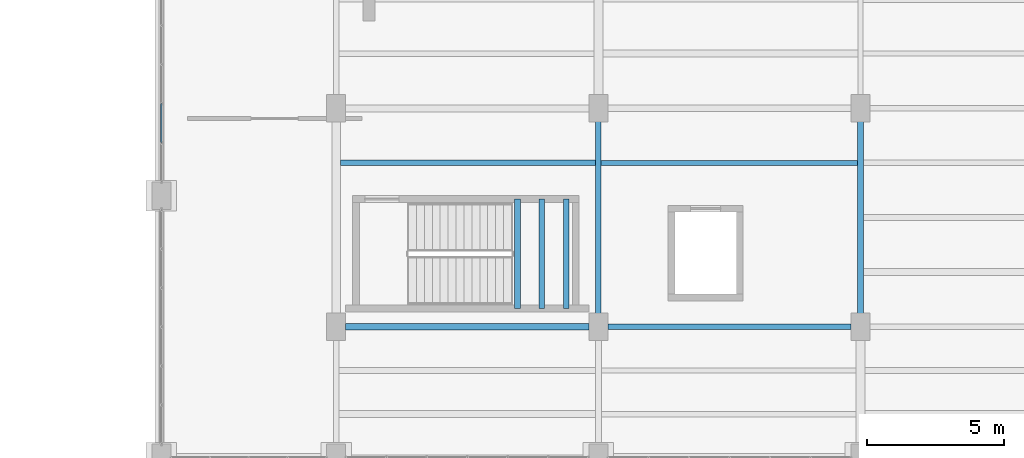
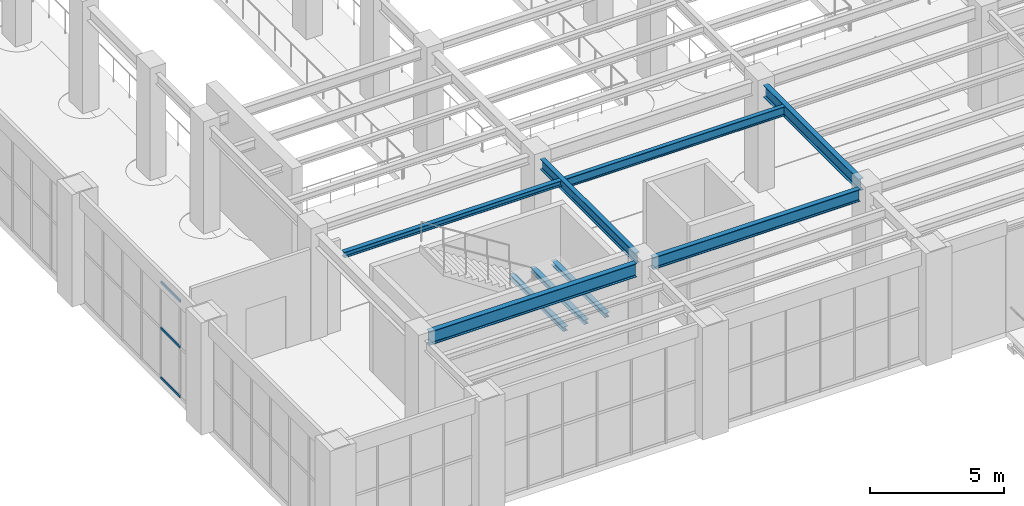
# One storey, part 59 of 174: 9 beams, 3 members, 1 element without a shape of its own.
"""IFC4 building model written with IfcOpenShell, lengths in metres."""

from ifc_helpers import new_model, si_unit, direction, frame, origin, origin_2d, place, context, subcontext, project, spatial, hollow_rectangle, i_section, extrude, material, material_profile, profile_set, type_object, element, aggregate, save


model = new_model("IFC4")

# Units and contexts
model_context = context("Model", 3, precision=1e-05, world=origin(), true_north=direction((0.0, 1.0)))
body_context = subcontext(model_context, "Body", "Model", "MODEL_VIEW")
ifc_project = project(units=[si_unit("LENGTHUNIT", "METRE"), si_unit("AREAUNIT", "SQUARE_METRE"), si_unit("VOLUMEUNIT", "CUBIC_METRE"), si_unit("PLANEANGLEUNIT", "RADIAN"), si_unit("MASSUNIT", "GRAM", prefix="KILO")], contexts=[model_context])

# Site, building, storey
site_placement = place(None, origin())
site = spatial("IfcSite", under=ifc_project, at=site_placement, CompositionType="ELEMENT")
building_placement = place(site_placement, origin())
building = spatial("IfcBuilding", under=site, at=building_placement, Name="Mavantir Sound Aquarium", CompositionType="ELEMENT")
storey_placement = place(building_placement, frame((0.0, 0.0, 5.39990234375)))
storey = spatial("IfcBuildingStorey", under=building, at=storey_placement, Name="L01", CompositionType="ELEMENT", Elevation=5.39990234375)

# Beams
ifc_material_1 = material(Name="Structural Steel ASTM A992 Gr50", Category="steel")
ifc_material_profile_1 = material_profile(ifc_material_1, i_section(OverallWidth=0.202880859375, OverallDepth=0.202880859375, WebThickness=0.007080078125, FlangeThickness=0.010986328125, FilletRadius=0.010009765625, at=origin_2d()), Name="W200X46")
ifc_profile_set_1 = profile_set([ifc_material_profile_1], Name="Structural Steel ASTM A992 Gr50")
beam_type_1 = type_object("IfcBeamType", Name="BM-W200X46-I", PredefinedType="LINTEL", material=ifc_profile_set_1)
for number, where, z_axis, x_axis, name in (
    (1, (114.639892578125, 41.47509765625, 2.24560546875), (0.0, 1.0, 0.0), (-1.0, 0.0, 0.0), "Stair ST4 landing support beam 61"),
    (2, (115.534912109375, 41.47509765625, 2.24560546875), (0.0, 1.0, 0.0), (-1.0, 0.0, 0.0), "Stair ST4 landing support beam 62"),
    (3, (116.429931640625, 41.47509765625, 2.24560546875), (0.0, 1.0, 0.0), (-1.0, 0.0, 0.0), "Stair ST4 landing support beam 63"),
):
    element("IfcBeam", number, at=place(storey_placement, frame(where, z_axis=z_axis, x_axis=x_axis)), inside=storey, type_object=beam_type_1, Name=name, PredefinedType="LINTEL", context=body_context, shape_type="SweptSolid", body=[
        extrude(i_section(OverallWidth=0.202880859375, OverallDepth=0.202880859375, WebThickness=0.007080078125, FlangeThickness=0.010986328125, FilletRadius=0.010009765625, at=origin_2d()), origin(), (0.0, 0.0, 1.0), 4.0),
    ])
ifc_material_profile_2 = material_profile(ifc_material_1, i_section(OverallWidth=0.202880859375, OverallDepth=0.251953125, WebThickness=0.008056640625, FlangeThickness=0.013427734375, FilletRadius=0.011962890625, at=origin_2d()), Name="W250X58")
ifc_profile_set_2 = profile_set([ifc_material_profile_2], Name="Structural Steel ASTM A992 Gr50")
beam_type_2 = type_object("IfcBeamType", Name="BM-W250X58-I", PredefinedType="JOIST", material=ifc_profile_set_2)
beam_1_placement = place(storey_placement, frame((108.162109375, 46.800048828125, 4.68017578125), z_axis=(1.0, 0.0, 0.0), x_axis=(0.0, 1.0, 0.0)))
element("IfcBeam", 4, at=beam_1_placement, inside=storey, type_object=beam_type_2, Name="L01 secondary floor joist SJ-25 736", PredefinedType="JOIST", context=body_context, shape_type="SweptSolid", body=[
    extrude(i_section(OverallWidth=0.202880859375, OverallDepth=0.251953125, WebThickness=0.008056640625, FlangeThickness=0.013427734375, FilletRadius=0.011962890625, at=origin_2d()), origin(), (0.0, 0.0, 1.0), 9.3408203125),
])
ifc_material_profile_3 = material_profile(ifc_material_1, i_section(OverallWidth=0.180908203125, OverallDepth=0.4169921875, WebThickness=0.010986328125, FlangeThickness=0.018310546875, FilletRadius=0.014892578125, at=origin_2d()), Name="W410X85")
ifc_profile_set_3 = profile_set([ifc_material_profile_3], Name="Structural Steel ASTM A992 Gr50")
beam_type_3 = type_object("IfcBeamType", Name="BM-W410X85-I", PredefinedType="JOIST", material=ifc_profile_set_3)
beam_2_placement = place(storey_placement, frame((117.697021484375, 46.800048828125, 4.59765625), z_axis=(1.0, 0.0, 0.0), x_axis=(0.0, 1.0, 0.0)))
element("IfcBeam", 5, at=beam_2_placement, inside=storey, type_object=beam_type_3, Name="L01 secondary floor joist SJ-41 737", PredefinedType="JOIST", context=body_context, shape_type="SweptSolid", body=[
    extrude(i_section(OverallWidth=0.180908203125, OverallDepth=0.4169921875, WebThickness=0.010986328125, FlangeThickness=0.018310546875, FilletRadius=0.014892578125, at=origin_2d()), origin(), (0.0, 0.0, 1.0), 9.39697265625),
])
ifc_material_profile_4 = material_profile(ifc_material_1, i_section(OverallWidth=0.194091796875, OverallDepth=0.468994140625, WebThickness=0.0126953125, FlangeThickness=0.0205078125, FilletRadius=0.01611328125, at=origin_2d()), Name="W460X106")
ifc_profile_set_4 = profile_set([ifc_material_profile_4], Name="Structural Steel ASTM A992 Gr50")
beam_type_4 = type_object("IfcBeamType", Name="BM-W460X106-I", PredefinedType="BEAM", material=ifc_profile_set_4)
beam_3_placement = place(storey_placement, frame((117.60009765625, 41.25, 4.571533203125), z_axis=(0.0, 1.0, 0.0), x_axis=(-1.0, 0.0, 0.0)))
element("IfcBeam", 6, at=beam_3_placement, inside=storey, type_object=beam_type_4, Name="L01 primary girder SB-46 1302", PredefinedType="BEAM", context=body_context, shape_type="SweptSolid", body=[
    extrude(i_section(OverallWidth=0.194091796875, OverallDepth=0.468994140625, WebThickness=0.0126953125, FlangeThickness=0.0205078125, FilletRadius=0.01611328125, at=origin_2d()), origin(), (0.0, 0.0, 1.0), 7.10009765625),
])
ifc_material_profile_5 = material_profile(ifc_material_1, i_section(OverallWidth=0.2119140625, OverallDepth=0.5439453125, WebThickness=0.01318359375, FlangeThickness=0.021240234375, FilletRadius=0.01806640625, at=origin_2d()), Name="W530X123")
ifc_profile_set_5 = profile_set([ifc_material_profile_5], Name="Structural Steel ASTM A992 Gr50")
beam_type_5 = type_object("IfcBeamType", Name="BM-W530X123-I", PredefinedType="BEAM", material=ifc_profile_set_5)
beam_4_placement = place(storey_placement, frame((117.949951171875, 40.800048828125, 4.504150390625), z_axis=(1.0, 0.0, 0.0), x_axis=(0.0, 1.0, 0.0)))
element("IfcBeam", 7, at=beam_4_placement, inside=storey, type_object=beam_type_5, Name="L01 primary beam SB-53 1246", PredefinedType="BEAM", context=body_context, shape_type="SweptSolid", body=[
    extrude(i_section(OverallWidth=0.2119140625, OverallDepth=0.5439453125, WebThickness=0.01318359375, FlangeThickness=0.021240234375, FilletRadius=0.01806640625, at=origin_2d()), origin(), (0.0, 0.0, 1.0), 8.900146484375),
])
beam_5_placement = place(storey_placement, frame((127.199951171875, 41.25, 4.5341796875), z_axis=(0.0, 1.0, 0.0), x_axis=(-1.0, 0.0, 0.0)))
element("IfcBeam", 8, at=beam_5_placement, inside=storey, type_object=beam_type_5, Name="L01 primary girder SB-53 1313", PredefinedType="BEAM", context=body_context, shape_type="SweptSolid", body=[
    extrude(i_section(OverallWidth=0.2119140625, OverallDepth=0.5439453125, WebThickness=0.01318359375, FlangeThickness=0.021240234375, FilletRadius=0.01806640625, at=origin_2d()), origin(), (0.0, 0.0, 1.0), 7.10009765625),
])
ifc_material_profile_6 = material_profile(ifc_material_1, i_section(OverallWidth=0.22900390625, OverallDepth=0.612060546875, WebThickness=0.011962890625, FlangeThickness=0.01953125, FilletRadius=0.01904296875, at=origin_2d()), Name="W610X125")
ifc_profile_set_6 = profile_set([ifc_material_profile_6], Name="Structural Steel ASTM A992 Gr50")
beam_type_6 = type_object("IfcBeamType", Name="BM-W610X125-I", PredefinedType="BEAM", material=ifc_profile_set_6)
beam_6_placement = place(storey_placement, frame((108.35009765625, 40.800048828125, 4.47021484375), z_axis=(1.0, 0.0, 0.0), x_axis=(0.0, 1.0, 0.0)))
element("IfcBeam", 9, at=beam_6_placement, inside=storey, type_object=beam_type_6, Name="L01 primary beam SB-61B 1245", PredefinedType="BEAM", context=body_context, shape_type="SweptSolid", body=[
    extrude(i_section(OverallWidth=0.22900390625, OverallDepth=0.612060546875, WebThickness=0.011962890625, FlangeThickness=0.01953125, FilletRadius=0.01904296875, at=origin_2d()), origin(), (0.0, 0.0, 1.0), 8.89990234375),
])

# Curtain wall, members
ifc_material_2 = material(Name="Anodised Marine Aluminium and Low-E Glass", Category="aluminium")
curtain_wall_type = type_object("IfcCurtainWallType", Name="CW-T23", PredefinedType="USERDEFINED", material=ifc_material_2)
curtain_wall_placement = place(storey_placement, origin())
curtain_wall = element("IfcCurtainWall", 10, at=curtain_wall_placement, inside=storey, type_object=curtain_wall_type, Name="L01 unitised curtain wall CW-23 95", ObjectType="UNITISED GLAZING", PredefinedType="USERDEFINED")
ifc_material_3 = material(Name="Anodised Marine Aluminium 6063-T6", Category="aluminium")
ifc_material_profile_7 = material_profile(ifc_material_3, hollow_rectangle(XDim=0.06005859375, YDim=0.110107421875, WallThickness=0.00390625, at=origin_2d()), Name="ALU-TRANSOM-110X60")
ifc_profile_set_7 = profile_set([ifc_material_profile_7], Name="Anodised Marine Aluminium 6063-T6")
member_type = type_object("IfcMemberType", Name="CW-TRN-110", PredefinedType="USERDEFINED", material=ifc_profile_set_7)
member_1_placement = place(storey_placement, frame((101.60009765625, 48.96923828125, 0.05517578125), z_axis=(0.0, -1.0, 0.0), x_axis=(1.0, 0.0, 0.0)))
member_1 = element("IfcMember", 11, at=member_1_placement, type_object=member_type, Name="CW-L01-095 transom 5.1", ObjectType="TRANSOM", PredefinedType="USERDEFINED", context=body_context, shape_type="SweptSolid", body=[
    extrude(hollow_rectangle(XDim=0.06005859375, YDim=0.110107421875, WallThickness=0.00390625, at=origin_2d()), origin(), (0.0, 0.0, 1.0), 1.430419921875),
])
member_2_placement = place(storey_placement, frame((101.60009765625, 48.96923828125, 2.31201171875), z_axis=(0.0, -1.0, 0.0), x_axis=(1.0, 0.0, 0.0)))
member_2 = element("IfcMember", 12, at=member_2_placement, type_object=member_type, Name="CW-L01-095 transom 5.2", ObjectType="TRANSOM", PredefinedType="USERDEFINED", context=body_context, shape_type="SweptSolid", body=[
    extrude(hollow_rectangle(XDim=0.06005859375, YDim=0.110107421875, WallThickness=0.00390625, at=origin_2d()), origin(), (0.0, 0.0, 1.0), 1.430419921875),
])
member_3_placement = place(storey_placement, frame((101.60009765625, 48.96923828125, 4.39111328125), z_axis=(0.0, -1.0, 0.0), x_axis=(1.0, 0.0, 0.0)))
member_3 = element("IfcMember", 13, at=member_3_placement, type_object=member_type, Name="CW-L01-095 transom 5.3", ObjectType="TRANSOM", PredefinedType="USERDEFINED", context=body_context, shape_type="SweptSolid", body=[
    extrude(hollow_rectangle(XDim=0.06005859375, YDim=0.110107421875, WallThickness=0.00390625, at=origin_2d()), origin(), (0.0, 0.0, 1.0), 1.430419921875),
])
aggregate(curtain_wall, [member_1, member_2, member_3])

save(model, "model.ifc")
